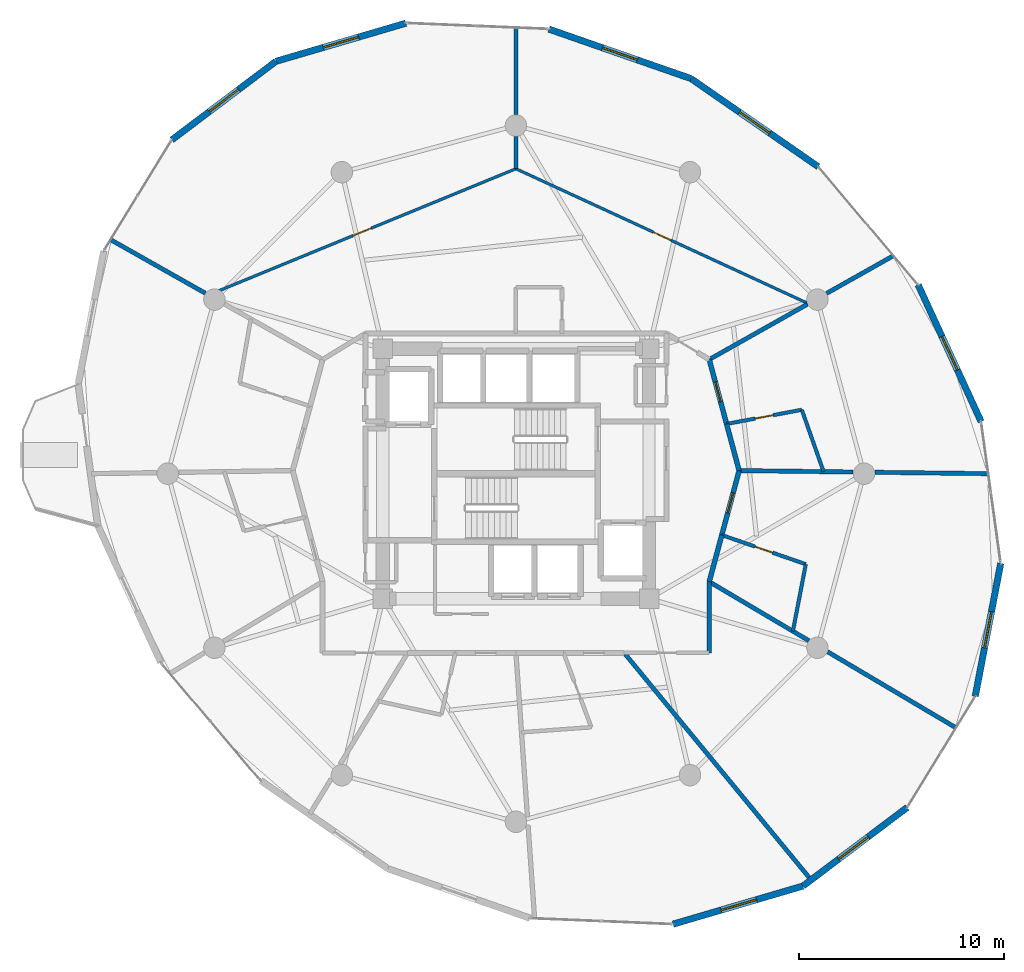
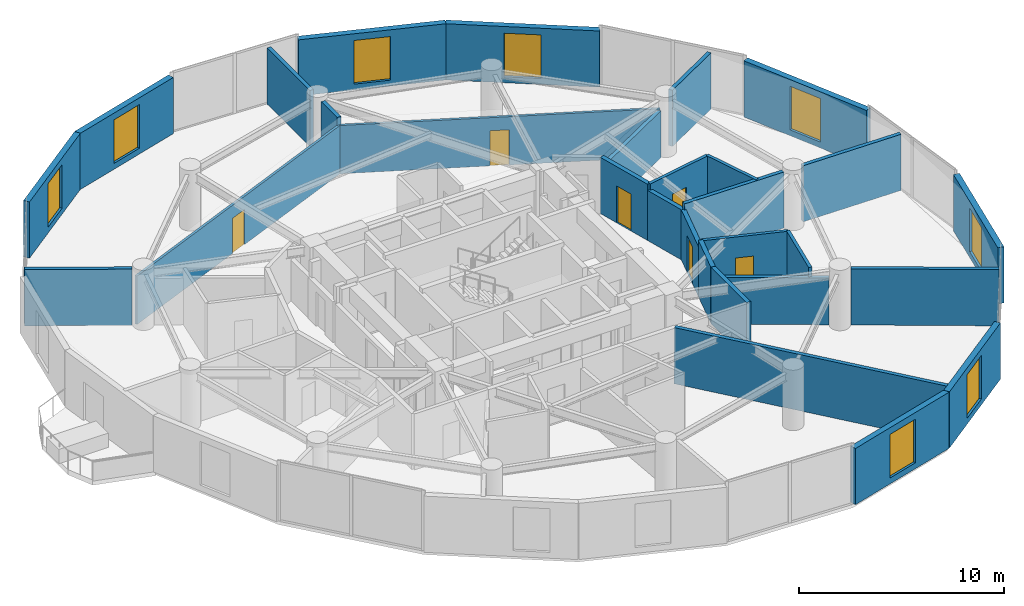
# One storey, part 20 of 23: 29 walls, 8 windows, 6 doors, 14 openings.
"""IFC4 building model written with IfcOpenShell, lengths in metres."""

from ifc_helpers import new_model, si_unit, direction, frame, frame_2d, origin, place, context, subcontext, project, spatial, rectangle, extrude, material, layer, layer_set, type_object, element, fill, save


model = new_model("IFC4")

# Units and contexts
model_context = context("Model", 3, precision=1e-05, world=origin(), true_north=direction((0.0, 1.0)))
body_context = subcontext(model_context, "Body", "Model", "MODEL_VIEW")
ifc_project = project(units=[si_unit("LENGTHUNIT", "METRE"), si_unit("AREAUNIT", "SQUARE_METRE"), si_unit("VOLUMEUNIT", "CUBIC_METRE"), si_unit("PLANEANGLEUNIT", "RADIAN"), si_unit("MASSUNIT", "GRAM", prefix="KILO")], contexts=[model_context])

# Site, building, storey
site_placement = place(None, origin())
site = spatial("IfcSite", under=ifc_project, at=site_placement, CompositionType="ELEMENT")
building_placement = place(site_placement, origin())
building = spatial("IfcBuilding", under=site, at=building_placement, Name="Solvirekh Grand Hotel", CompositionType="ELEMENT")
storey_placement = place(building_placement, frame((0.0, 0.0, 138.60009765625)))
storey = spatial("IfcBuildingStorey", under=building, at=storey_placement, Name="L35", CompositionType="ELEMENT", Elevation=138.60009765625)

# Wall, opening, window
ifc_material_1 = material(Name="Precast concrete C45/55", Category="concrete")
ifc_layer_1 = layer(ifc_material_1, 0.320068359375)
ifc_layer_set_1 = layer_set([ifc_layer_1], Name="Precast concrete C45/55")
wall_type_1 = type_object("IfcWallType", Name="ExtLobbyWall_RC320", PredefinedType="SOLIDWALL", material=ifc_layer_set_1)
wall_1_placement = place(storey_placement, frame((23.676025390625, -4.3759765625, 0.0), z_axis=(0.0, 0.0, 1.0), x_axis=(-0.188272291084, -0.982116869018, 0.0)))
wall_1 = element("IfcWall", 1, at=wall_1_placement, inside=storey, type_object=wall_type_1, Name="L35 exterior structural wall chord 2", PredefinedType="SOLIDWALL", context=body_context, shape_type="SweptSolid", body=[
    extrude(rectangle(XDim=6.61328125, YDim=0.320068359375, at=frame_2d((3.306640625, 0.0))), origin(), (0.0, 0.0, 1.0), 3.349853515625),
])
opening_1_placement = place(wall_1_placement, frame((2.406982421875, 0.0, 0.35009765625)))
opening_1 = element("IfcOpeningElement", 2, at=opening_1_placement, cuts=wall_1, Name="Opening W02", PredefinedType="OPENING", context=body_context, shape_type="SweptSolid", body=[
    extrude(rectangle(XDim=1.800048828125, YDim=2.60009765625, at=frame_2d((0.89990234375, 1.300048828125))), frame((0.0, 0.169921875, 0.0), z_axis=(0.0, -1.0, 0.0), x_axis=(1.0, 0.0, 0.0)), (0.0, 0.0, 1.0), 0.340087890625),
])
ifc_material_2 = material(Name="Low-E Tinted Bronze Laminated Glass", Category="aluminium")
window_type = type_object("IfcWindowType", Name="Win_LobbyExt_1800X2600", PartitioningType="SINGLE_PANEL", PredefinedType="WINDOW", material=ifc_material_2)
window_1_placement = place(opening_1_placement, origin())
window_1 = element("IfcWindow", 3, at=window_1_placement, inside=storey, type_object=window_type, Name="L35 panoramic bronze-framed window 2", OverallHeight=2.60009765625, OverallWidth=1.800048828125, PartitioningType="SINGLE_PANEL", PredefinedType="WINDOW", context=body_context, shape_type="SweptSolid", body=[
    extrude(rectangle(XDim=1.800048828125, YDim=2.60009765625, at=frame_2d((0.89990234375, 1.300048828125))), frame((0.0, 0.030029296875, 0.0), z_axis=(0.0, -1.0, 0.0), x_axis=(1.0, 0.0, 0.0)), (0.0, 0.0, 1.0), 0.06005859375),
])
fill(opening_1, window_1)

wall_2_placement = place(storey_placement, frame((19.64404296875, 9.220947265625, 0.0), z_axis=(0.0, 0.0, 1.0), x_axis=(0.4181370769, -0.90838394136, 0.0)))
wall_2 = element("IfcWall", 4, at=wall_2_placement, inside=storey, type_object=wall_type_1, Name="L35 exterior structural wall chord 4", PredefinedType="SOLIDWALL", context=body_context, shape_type="SweptSolid", body=[
    extrude(rectangle(XDim=7.346923828125, YDim=0.320068359375, at=frame_2d((3.67333984375, 0.0))), origin(), (0.0, 0.0, 1.0), 3.349853515625),
])
opening_2_placement = place(wall_2_placement, frame((2.77392578125, 0.0, 0.35009765625)))
opening_2 = element("IfcOpeningElement", 5, at=opening_2_placement, cuts=wall_2, Name="Opening W02", PredefinedType="OPENING", context=body_context, shape_type="SweptSolid", body=[
    extrude(rectangle(XDim=1.800048828125, YDim=2.60009765625, at=frame_2d((0.89990234375, 1.300048828125))), frame((0.0, 0.169921875, 0.0), z_axis=(0.0, -1.0, 0.0), x_axis=(1.0, 0.0, 0.0)), (0.0, 0.0, 1.0), 0.340087890625),
])
window_2_placement = place(opening_2_placement, origin())
window_2 = element("IfcWindow", 6, at=window_2_placement, inside=storey, type_object=window_type, Name="L35 panoramic bronze-framed window 4", OverallHeight=2.60009765625, OverallWidth=1.800048828125, PartitioningType="SINGLE_PANEL", PredefinedType="WINDOW", context=body_context, shape_type="SweptSolid", body=[
    extrude(rectangle(XDim=1.800048828125, YDim=2.60009765625, at=frame_2d((0.89990234375, 1.300048828125))), frame((0.0, 0.030029296875, 0.0), z_axis=(0.0, -1.0, 0.0), x_axis=(1.0, 0.0, 0.0)), (0.0, 0.0, 1.0), 0.06005859375),
])
fill(opening_2, window_2)

wall_3_placement = place(storey_placement, frame((8.549072265625, 19.2958984375, 0.0), z_axis=(0.0, 0.0, 1.0), x_axis=(0.822065431331, -0.569393033511, 0.0)))
wall_3 = element("IfcWall", 7, at=wall_3_placement, inside=storey, type_object=wall_type_1, Name="L35 exterior structural wall chord 6", PredefinedType="SOLIDWALL", context=body_context, shape_type="SweptSolid", body=[
    extrude(rectangle(XDim=7.558837890625, YDim=0.320068359375, at=frame_2d((3.779296875, 0.0))), origin(), (0.0, 0.0, 1.0), 3.349853515625),
])
opening_3_placement = place(wall_3_placement, frame((2.87890625, 0.0, 0.35009765625)))
opening_3 = element("IfcOpeningElement", 8, at=opening_3_placement, cuts=wall_3, Name="Opening W02", PredefinedType="OPENING", context=body_context, shape_type="SweptSolid", body=[
    extrude(rectangle(XDim=1.800048828125, YDim=2.60009765625, at=frame_2d((0.89990234375, 1.300048828125))), frame((0.0, 0.169921875, 0.0), z_axis=(0.0, -1.0, 0.0), x_axis=(1.0, 0.0, 0.0)), (0.0, 0.0, 1.0), 0.340087890625),
])
window_3_placement = place(opening_3_placement, origin())
window_3 = element("IfcWindow", 9, at=window_3_placement, inside=storey, type_object=window_type, Name="L35 panoramic bronze-framed window 6", OverallHeight=2.60009765625, OverallWidth=1.800048828125, PartitioningType="SINGLE_PANEL", PredefinedType="WINDOW", context=body_context, shape_type="SweptSolid", body=[
    extrude(rectangle(XDim=1.800048828125, YDim=2.60009765625, at=frame_2d((0.89990234375, 1.300048828125))), frame((0.0, 0.030029296875, 0.0), z_axis=(0.0, -1.0, 0.0), x_axis=(1.0, 0.0, 0.0)), (0.0, 0.0, 1.0), 0.06005859375),
])
fill(opening_3, window_3)

wall_4_placement = place(storey_placement, frame((1.610107421875, 21.7109375, 0.0), z_axis=(0.0, 0.0, 1.0), x_axis=(0.94443401985, -0.328701052859, 0.0)))
wall_4 = element("IfcWall", 10, at=wall_4_placement, inside=storey, type_object=wall_type_1, Name="L35 exterior structural wall chord 7", PredefinedType="SOLIDWALL", context=body_context, shape_type="SweptSolid", body=[
    extrude(rectangle(XDim=7.34716796875, YDim=0.320068359375, at=frame_2d((3.673583984375, 0.0))), origin(), (0.0, 0.0, 1.0), 3.349853515625),
])
opening_4_placement = place(wall_4_placement, frame((2.77392578125, 0.0, 0.35009765625)))
opening_4 = element("IfcOpeningElement", 11, at=opening_4_placement, cuts=wall_4, Name="Opening W02", PredefinedType="OPENING", context=body_context, shape_type="SweptSolid", body=[
    extrude(rectangle(XDim=1.800048828125, YDim=2.60009765625, at=frame_2d((0.89990234375, 1.300048828125))), frame((0.0, 0.169921875, 0.0), z_axis=(0.0, -1.0, 0.0), x_axis=(1.0, 0.0, 0.0)), (0.0, 0.0, 1.0), 0.340087890625),
])
window_4_placement = place(opening_4_placement, origin())
window_4 = element("IfcWindow", 12, at=window_4_placement, inside=storey, type_object=window_type, Name="L35 panoramic bronze-framed window 7", OverallHeight=2.60009765625, OverallWidth=1.800048828125, PartitioningType="SINGLE_PANEL", PredefinedType="WINDOW", context=body_context, shape_type="SweptSolid", body=[
    extrude(rectangle(XDim=1.800048828125, YDim=2.60009765625, at=frame_2d((0.89990234375, 1.300048828125))), frame((0.0, 0.030029296875, 0.0), z_axis=(0.0, -1.0, 0.0), x_axis=(1.0, 0.0, 0.0)), (0.0, 0.0, 1.0), 0.06005859375),
])
fill(opening_4, window_4)

wall_5_placement = place(storey_placement, frame((-11.718017578125, 20.136962890625, 0.0), z_axis=(0.0, 0.0, 1.0), x_axis=(0.959493561685, 0.28173055405, 0.0)))
wall_5 = element("IfcWall", 13, at=wall_5_placement, inside=storey, type_object=wall_type_1, Name="L35 exterior structural wall chord 9", PredefinedType="SOLIDWALL", context=body_context, shape_type="SweptSolid", body=[
    extrude(rectangle(XDim=6.61279296875, YDim=0.320068359375, at=frame_2d((3.306396484375, 0.0))), origin(), (0.0, 0.0, 1.0), 3.349853515625),
])
opening_5_placement = place(wall_5_placement, frame((2.406005859375, 0.0, 0.35009765625)))
opening_5 = element("IfcOpeningElement", 14, at=opening_5_placement, cuts=wall_5, Name="Opening W02", PredefinedType="OPENING", context=body_context, shape_type="SweptSolid", body=[
    extrude(rectangle(XDim=1.800048828125, YDim=2.60009765625, at=frame_2d((0.89990234375, 1.300048828125))), frame((0.0, 0.169921875, 0.0), z_axis=(0.0, -1.0, 0.0), x_axis=(1.0, 0.0, 0.0)), (0.0, 0.0, 1.0), 0.340087890625),
])
window_5_placement = place(opening_5_placement, origin())
window_5 = element("IfcWindow", 15, at=window_5_placement, inside=storey, type_object=window_type, Name="L35 panoramic bronze-framed window 9", OverallHeight=2.60009765625, OverallWidth=1.800048828125, PartitioningType="SINGLE_PANEL", PredefinedType="WINDOW", context=body_context, shape_type="SweptSolid", body=[
    extrude(rectangle(XDim=1.800048828125, YDim=2.60009765625, at=frame_2d((0.89990234375, 1.300048828125))), frame((0.0, 0.030029296875, 0.0), z_axis=(0.0, -1.0, 0.0), x_axis=(1.0, 0.0, 0.0)), (0.0, 0.0, 1.0), 0.06005859375),
])
fill(opening_5, window_5)

wall_6_placement = place(storey_placement, frame((-16.802978515625, 16.302001953125, 0.0), z_axis=(0.0, 0.0, 1.0), x_axis=(0.798396373417, 0.602132237067, 0.0)))
wall_6 = element("IfcWall", 16, at=wall_6_placement, inside=storey, type_object=wall_type_1, Name="L35 exterior structural wall chord 10", PredefinedType="SOLIDWALL", context=body_context, shape_type="SweptSolid", body=[
    extrude(rectangle(XDim=6.368896484375, YDim=0.320068359375, at=frame_2d((3.1845703125, 0.0))), origin(), (0.0, 0.0, 1.0), 3.349853515625),
])
opening_6_placement = place(wall_6_placement, frame((2.284912109375, 0.0, 0.35009765625)))
opening_6 = element("IfcOpeningElement", 17, at=opening_6_placement, cuts=wall_6, Name="Opening W02", PredefinedType="OPENING", context=body_context, shape_type="SweptSolid", body=[
    extrude(rectangle(XDim=1.800048828125, YDim=2.60009765625, at=frame_2d((0.89990234375, 1.300048828125))), frame((0.0, 0.169921875, 0.0), z_axis=(0.0, -1.0, 0.0), x_axis=(1.0, 0.0, 0.0)), (0.0, 0.0, 1.0), 0.340087890625),
])
window_6_placement = place(opening_6_placement, origin())
window_6 = element("IfcWindow", 18, at=window_6_placement, inside=storey, type_object=window_type, Name="L35 panoramic bronze-framed window 10", OverallHeight=2.60009765625, OverallWidth=1.800048828125, PartitioningType="SINGLE_PANEL", PredefinedType="WINDOW", context=body_context, shape_type="SweptSolid", body=[
    extrude(rectangle(XDim=1.800048828125, YDim=2.60009765625, at=frame_2d((0.89990234375, 1.300048828125))), frame((0.0, 0.030029296875, 0.0), z_axis=(0.0, -1.0, 0.0), x_axis=(1.0, 0.0, 0.0)), (0.0, 0.0, 1.0), 0.06005859375),
])
fill(opening_6, window_6)

wall_7_placement = place(storey_placement, frame((14.01806640625, -20.136962890625, 0.0), z_axis=(0.0, 0.0, 1.0), x_axis=(-0.959493561685, -0.28173055405, 0.0)))
wall_7 = element("IfcWall", 19, at=wall_7_placement, inside=storey, type_object=wall_type_1, Name="L35 exterior structural wall chord 19", PredefinedType="SOLIDWALL", context=body_context, shape_type="SweptSolid", body=[
    extrude(rectangle(XDim=6.61279296875, YDim=0.320068359375, at=frame_2d((3.306396484375, 0.0))), origin(), (0.0, 0.0, 1.0), 3.349853515625),
])
opening_7_placement = place(wall_7_placement, frame((2.363037109375, 0.0, 0.35009765625)))
opening_7 = element("IfcOpeningElement", 20, at=opening_7_placement, cuts=wall_7, Name="Opening W02", PredefinedType="OPENING", context=body_context, shape_type="SweptSolid", body=[
    extrude(rectangle(XDim=1.800048828125, YDim=2.60009765625, at=frame_2d((0.89990234375, 1.300048828125))), frame((0.0, 0.169921875, 0.0), z_axis=(0.0, -1.0, 0.0), x_axis=(1.0, 0.0, 0.0)), (0.0, 0.0, 1.0), 0.340087890625),
])
window_7_placement = place(opening_7_placement, origin())
window_7 = element("IfcWindow", 21, at=window_7_placement, inside=storey, type_object=window_type, Name="L35 panoramic bronze-framed window 19", OverallHeight=2.60009765625, OverallWidth=1.800048828125, PartitioningType="SINGLE_PANEL", PredefinedType="WINDOW", context=body_context, shape_type="SweptSolid", body=[
    extrude(rectangle(XDim=1.800048828125, YDim=2.60009765625, at=frame_2d((0.89990234375, 1.300048828125))), frame((0.0, 0.030029296875, 0.0), z_axis=(0.0, -1.0, 0.0), x_axis=(1.0, 0.0, 0.0)), (0.0, 0.0, 1.0), 0.06005859375),
])
fill(opening_7, window_7)

wall_8_placement = place(storey_placement, frame((19.10302734375, -16.302001953125, 0.0), z_axis=(0.0, 0.0, 1.0), x_axis=(-0.798396373417, -0.602132237067, 0.0)))
wall_8 = element("IfcWall", 22, at=wall_8_placement, inside=storey, type_object=wall_type_1, Name="L35 exterior structural wall chord 20", PredefinedType="SOLIDWALL", context=body_context, shape_type="SweptSolid", body=[
    extrude(rectangle(XDim=6.368896484375, YDim=0.320068359375, at=frame_2d((3.1845703125, 0.0))), origin(), (0.0, 0.0, 1.0), 3.349853515625),
])
opening_8_placement = place(wall_8_placement, frame((2.3798828125, 0.0, 0.35009765625)))
opening_8 = element("IfcOpeningElement", 23, at=opening_8_placement, cuts=wall_8, Name="Opening W02", PredefinedType="OPENING", context=body_context, shape_type="SweptSolid", body=[
    extrude(rectangle(XDim=1.800048828125, YDim=2.60009765625, at=frame_2d((0.89990234375, 1.300048828125))), frame((0.0, 0.169921875, 0.0), z_axis=(0.0, -1.0, 0.0), x_axis=(1.0, 0.0, 0.0)), (0.0, 0.0, 1.0), 0.340087890625),
])
window_8_placement = place(opening_8_placement, origin())
window_8 = element("IfcWindow", 24, at=window_8_placement, inside=storey, type_object=window_type, Name="L35 panoramic bronze-framed window 20", OverallHeight=2.60009765625, OverallWidth=1.800048828125, PartitioningType="SINGLE_PANEL", PredefinedType="WINDOW", context=body_context, shape_type="SweptSolid", body=[
    extrude(rectangle(XDim=1.800048828125, YDim=2.60009765625, at=frame_2d((0.89990234375, 1.300048828125))), frame((0.0, 0.030029296875, 0.0), z_axis=(0.0, -1.0, 0.0), x_axis=(1.0, 0.0, 0.0)), (0.0, 0.0, 1.0), 0.06005859375),
])
fill(opening_8, window_8)

# Wall
ifc_material_3 = material(Name="Acoustic Gypsum Partition Assembly")
ifc_layer_2 = layer(ifc_material_3, 0.239990234375)
ifc_layer_set_2 = layer_set([ifc_layer_2], Name="Acoustic Gypsum Partition Assembly")
wall_type_2 = type_object("IfcWallType", Name="Part_Corridor_240", PredefinedType="PARTITIONING", material=ifc_layer_set_2)
wall_9_placement = place(storey_placement, frame((9.43994140625, -5.27490234375, 0.0), z_axis=(0.0, 0.0, 1.0), x_axis=(0.25988439237, 0.965639737481, 0.0)))
element("IfcWall", 25, at=wall_9_placement, inside=storey, type_object=wall_type_2, Name="L35 En-suite Bathroom 3704 corridor backing wall", PredefinedType="PARTITIONING", context=body_context, shape_type="SweptSolid", body=[
    extrude(rectangle(XDim=2.35888671875, YDim=0.239990234375, at=frame_2d((1.179443359375, 0.0))), origin(), (0.0, 0.0, 1.0), 3.349853515625),
])

# Wall, opening, door
wall_10_placement = place(storey_placement, frame((10.052978515625, -2.9970703125, 0.0), z_axis=(0.0, 0.0, 1.0), x_axis=(0.259876755553, 0.965641792759, 0.0)))
wall_10 = element("IfcWall", 26, at=wall_10_placement, inside=storey, type_object=wall_type_2, Name="L35 Deluxe Guestroom 3704 entrance wall", PredefinedType="PARTITIONING", context=body_context, shape_type="SweptSolid", body=[
    extrude(rectangle(XDim=3.259033203125, YDim=0.239990234375, at=frame_2d((1.62939453125, 0.0))), origin(), (0.0, 0.0, 1.0), 2.98486328125),
])
opening_9_placement = place(wall_10_placement, frame((1.12890625, 0.0, 0.0)))
opening_9 = element("IfcOpeningElement", 27, at=opening_9_placement, cuts=wall_10, Name="Opening D07", PredefinedType="OPENING", context=body_context, shape_type="SweptSolid", body=[
    extrude(rectangle(XDim=1.0, YDim=2.199951171875, at=frame_2d((0.5, 1.10009765625))), frame((0.0, 0.1298828125, 0.0), z_axis=(0.0, -1.0, 0.0), x_axis=(1.0, 0.0, 0.0)), (0.0, 0.0, 1.0), 0.260009765625),
])
ifc_material_4 = material(Name="Fire-Rated Steel Door Assembly", Category="steel")
door_type_1 = type_object("IfcDoorType", Name="Door_GuestEntry_1000X2200", OperationType="NOTDEFINED", PredefinedType="DOOR", material=ifc_material_4)
door_1_placement = place(opening_9_placement, origin())
door_1 = element("IfcDoor", 28, at=door_1_placement, inside=storey, type_object=door_type_1, Name="L35 Deluxe Guestroom 3704 entrance door", OperationType="SINGLE_SWING_LEFT", OverallHeight=2.199951171875, OverallWidth=1.0, PredefinedType="DOOR", context=body_context, shape_type="SweptSolid", body=[
    extrude(rectangle(XDim=1.0, YDim=2.199951171875, at=frame_2d((0.5, 1.10009765625))), frame((0.0, 0.02490234375, 0.0), z_axis=(0.0, -1.0, 0.0), x_axis=(1.0, 0.0, 0.0)), (0.0, 0.0, 1.0), 0.050048828125),
])
fill(opening_9, door_1)

# Wall
wall_11_placement = place(storey_placement, frame((10.89990234375, 0.14990234375, 0.0), z_axis=(0.0, 0.0, 1.0), x_axis=(-0.259761917731, 0.965672690976, 0.0)))
element("IfcWall", 29, at=wall_11_placement, inside=storey, type_object=wall_type_2, Name="L35 En-suite Bathroom 3705 corridor backing wall", PredefinedType="PARTITIONING", context=body_context, shape_type="SweptSolid", body=[
    extrude(rectangle(XDim=2.359130859375, YDim=0.239990234375, at=frame_2d((1.1796875, 0.0))), origin(), (0.0, 0.0, 1.0), 2.98486328125),
])

# Wall, opening, door
wall_12_placement = place(storey_placement, frame((10.287109375, 2.427978515625, 0.0), z_axis=(0.0, 0.0, 1.0), x_axis=(-0.259946608151, 0.965622991084, 0.0)))
wall_12 = element("IfcWall", 30, at=wall_12_placement, inside=storey, type_object=wall_type_2, Name="L35 Deluxe Guestroom 3705 entrance wall", PredefinedType="PARTITIONING", context=body_context, shape_type="SweptSolid", body=[
    extrude(rectangle(XDim=3.259033203125, YDim=0.239990234375, at=frame_2d((1.62939453125, 0.0))), origin(), (0.0, 0.0, 1.0), 3.349853515625),
])
opening_10_placement = place(wall_12_placement, frame((1.12890625, 0.0, 0.0)))
opening_10 = element("IfcOpeningElement", 31, at=opening_10_placement, cuts=wall_12, Name="Opening D07", PredefinedType="OPENING", context=body_context, shape_type="SweptSolid", body=[
    extrude(rectangle(XDim=1.0, YDim=2.199951171875, at=frame_2d((0.5, 1.10009765625))), frame((0.0, 0.1298828125, 0.0), z_axis=(0.0, -1.0, 0.0), x_axis=(1.0, 0.0, 0.0)), (0.0, 0.0, 1.0), 0.260009765625),
])
door_2_placement = place(opening_10_placement, origin())
door_2 = element("IfcDoor", 32, at=door_2_placement, inside=storey, type_object=door_type_1, Name="L35 Deluxe Guestroom 3705 entrance door", OperationType="SINGLE_SWING_LEFT", OverallHeight=2.199951171875, OverallWidth=1.0, PredefinedType="DOOR", context=body_context, shape_type="SweptSolid", body=[
    extrude(rectangle(XDim=1.0, YDim=2.199951171875, at=frame_2d((0.5, 1.10009765625))), frame((0.0, 0.02490234375, 0.0), z_axis=(0.0, -1.0, 0.0), x_axis=(1.0, 0.0, 0.0)), (0.0, 0.0, 1.0), 0.050048828125),
])
fill(opening_10, door_2)

# Wall
wall_13_placement = place(storey_placement, frame((9.43994140625, -8.75, 0.0), z_axis=(0.0, 0.0, 1.0), x_axis=(0.0, 1.0, 0.0)))
element("IfcWall", 33, at=wall_13_placement, inside=storey, type_object=wall_type_2, Name="L35 L35 Butler Valet & Linen Steward Room corridor wall 1", PredefinedType="PARTITIONING", context=body_context, shape_type="SweptSolid", body=[
    extrude(rectangle(XDim=3.47509765625, YDim=0.239990234375, at=frame_2d((1.737548828125, 0.0))), origin(), (0.0, 0.0, 1.0), 3.349853515625),
])

# Wall, opening, door
ifc_layer_3 = layer(ifc_material_3, 0.135009765625)
ifc_layer_set_3 = layer_set([ifc_layer_3], Name="Acoustic Gypsum Partition Assembly")
wall_type_3 = type_object("IfcWallType", Name="Part_RoomInt_135", PredefinedType="PARTITIONING", material=ifc_layer_set_3)
wall_14_placement = place(storey_placement, frame((0.0, 14.889892578125, 0.0), z_axis=(0.0, 0.0, 1.0), x_axis=(0.908063857852, -0.418831744335, 0.0)))
wall_14 = element("IfcWall", 34, at=wall_14_placement, inside=storey, type_object=wall_type_3, Name="L35 Panorama Suite 3701 North Sitting Room bedroom screen wall", PredefinedType="PARTITIONING", context=body_context, shape_type="SweptSolid", body=[
    extrude(rectangle(XDim=15.726806640625, YDim=0.135009765625, at=frame_2d((7.86328125, 0.0))), origin(), (0.0, 0.0, 1.0), 2.8779296875),
])
opening_11_placement = place(wall_14_placement, frame((7.387939453125, 0.0, 0.0)))
opening_11 = element("IfcOpeningElement", 35, at=opening_11_placement, cuts=wall_14, Name="Opening D10", PredefinedType="OPENING", context=body_context, shape_type="SweptSolid", body=[
    extrude(rectangle(XDim=0.949951171875, YDim=2.10009765625, at=frame_2d((0.47509765625, 1.050048828125))), frame((0.0, 0.07763671875, 0.0), z_axis=(0.0, -1.0, 0.0), x_axis=(1.0, 0.0, 0.0)), (0.0, 0.0, 1.0), 0.155029296875),
])
ifc_material_5 = material(Name="Anodized Bronze Aluminium 6063-T6", Category="aluminium")
door_type_2 = type_object("IfcDoorType", Name="Door_RoomInt_950X2100", OperationType="NOTDEFINED", PredefinedType="DOOR", material=ifc_material_5)
door_3_placement = place(opening_11_placement, origin())
door_3 = element("IfcDoor", 36, at=door_3_placement, inside=storey, type_object=door_type_2, Name="L35 Panorama Suite 3701 North Sitting Room master bedroom door", OperationType="SINGLE_SWING_RIGHT", OverallHeight=2.10009765625, OverallWidth=0.949951171875, PredefinedType="DOOR", context=body_context, shape_type="SweptSolid", body=[
    extrude(rectangle(XDim=0.949951171875, YDim=2.10009765625, at=frame_2d((0.47509765625, 1.050048828125))), frame((0.0, 0.02490234375, 0.0), z_axis=(0.0, -1.0, 0.0), x_axis=(1.0, 0.0, 0.0)), (0.0, 0.0, 1.0), 0.050048828125),
])
fill(opening_11, door_3)

wall_15_placement = place(storey_placement, frame((-15.010986328125, 8.72412109375, 0.0), z_axis=(0.0, 0.0, 1.0), x_axis=(0.925008016351, 0.379947588078, 0.0)))
wall_15 = element("IfcWall", 37, at=wall_15_placement, inside=storey, type_object=wall_type_3, Name="L35 Panorama Suite 3701 Observatory Library bedroom screen wall", PredefinedType="PARTITIONING", context=body_context, shape_type="SweptSolid", body=[
    extrude(rectangle(XDim=16.22802734375, YDim=0.135009765625, at=frame_2d((8.114013671875, 0.0))), origin(), (0.0, 0.0, 1.0), 2.8779296875),
])
opening_12_placement = place(wall_15_placement, frame((7.638916015625, 0.0, 0.0)))
opening_12 = element("IfcOpeningElement", 38, at=opening_12_placement, cuts=wall_15, Name="Opening D10", PredefinedType="OPENING", context=body_context, shape_type="SweptSolid", body=[
    extrude(rectangle(XDim=0.949951171875, YDim=2.10009765625, at=frame_2d((0.47509765625, 1.050048828125))), frame((0.0, 0.07763671875, 0.0), z_axis=(0.0, -1.0, 0.0), x_axis=(1.0, 0.0, 0.0)), (0.0, 0.0, 1.0), 0.155029296875),
])
door_4_placement = place(opening_12_placement, origin())
door_4 = element("IfcDoor", 39, at=door_4_placement, inside=storey, type_object=door_type_2, Name="L35 Panorama Suite 3701 Observatory Library master bedroom door", OperationType="SINGLE_SWING_LEFT", OverallHeight=2.10009765625, OverallWidth=0.949951171875, PredefinedType="DOOR", context=body_context, shape_type="SweptSolid", body=[
    extrude(rectangle(XDim=0.949951171875, YDim=2.10009765625, at=frame_2d((0.47509765625, 1.050048828125))), frame((0.0, 0.02490234375, 0.0), z_axis=(0.0, -1.0, 0.0), x_axis=(1.0, 0.0, 0.0)), (0.0, 0.0, 1.0), 0.050048828125),
])
fill(opening_12, door_4)

# Walls
ifc_layer_4 = layer(ifc_material_3, 0.2099609375)
ifc_layer_set_4 = layer_set([ifc_layer_4], Name="Acoustic Gypsum Partition Assembly")
wall_type_4 = type_object("IfcWallType", Name="Part_SuiteDemise_210", PredefinedType="PARTITIONING", material=ifc_layer_set_4)
wall_16_placement = place(storey_placement, frame((10.89990234375, 0.14990234375, 0.0), z_axis=(0.0, 0.0, 1.0), x_axis=(0.999923372065, -0.012379418339, 0.0)))
element("IfcWall", 40, at=wall_16_placement, inside=storey, type_object=wall_type_4, Name="L35 suite radial wall 1 (A)", PredefinedType="PARTITIONING", context=body_context, shape_type="SweptSolid", body=[
    extrude(rectangle(XDim=5.5615234375, YDim=0.2099609375, at=frame_2d((2.78076171875, 0.0))), origin(), (0.0, 0.0, 1.0), 3.349853515625),
])
wall_17_placement = place(storey_placement, frame((17.541015625, 0.068115234375, 0.0), z_axis=(0.0, 0.0, 1.0), x_axis=(0.999922985187, -0.012410628269, 0.0)))
element("IfcWall", 41, at=wall_17_placement, inside=storey, type_object=wall_type_4, Name="L35 suite radial wall 1 (B)", PredefinedType="PARTITIONING", context=body_context, shape_type="SweptSolid", body=[
    extrude(rectangle(XDim=5.488525390625, YDim=0.2099609375, at=frame_2d((2.744140625, 0.0))), origin(), (0.0, 0.0, 1.0), 3.349853515625),
])
wall_18_placement = place(storey_placement, frame((9.43994140625, 5.574951171875, 0.0), z_axis=(0.0, 0.0, 1.0), x_axis=(0.871243078021, 0.490851809613, 0.0)))
element("IfcWall", 42, at=wall_18_placement, inside=storey, type_object=wall_type_4, Name="L35 suite radial wall 2 (A)", PredefinedType="PARTITIONING", context=body_context, shape_type="SweptSolid", body=[
    extrude(rectangle(XDim=5.49462890625, YDim=0.2099609375, at=frame_2d((2.747314453125, 0.0))), origin(), (0.0, 0.0, 1.0), 2.791015625),
])
wall_19_placement = place(storey_placement, frame((15.173095703125, 8.805908203125, 0.0), z_axis=(0.0, 0.0, 1.0), x_axis=(0.871269436628, 0.490805021162, 0.0)))
element("IfcWall", 43, at=wall_19_placement, inside=storey, type_object=wall_type_4, Name="L35 suite radial wall 2 (B)", PredefinedType="PARTITIONING", context=body_context, shape_type="SweptSolid", body=[
    extrude(rectangle(XDim=3.708251953125, YDim=0.2099609375, at=frame_2d((1.85400390625, 0.0))), origin(), (0.0, 0.0, 1.0), 3.349853515625),
])
wall_20_placement = place(storey_placement, frame((-15.16796875, 8.81298828125, 0.0), z_axis=(0.0, 0.0, 1.0), x_axis=(-0.870585270254, 0.492017567997, 0.0)))
element("IfcWall", 44, at=wall_20_placement, inside=storey, type_object=wall_type_4, Name="L35 suite radial wall 6 (B)", PredefinedType="PARTITIONING", context=body_context, shape_type="SweptSolid", body=[
    extrude(rectangle(XDim=5.270263671875, YDim=0.2099609375, at=frame_2d((2.63525390625, 0.0))), origin(), (0.0, 0.0, 1.0), 3.349853515625),
])
wall_21_placement = place(storey_placement, frame((9.43994140625, -5.27490234375, 0.0), z_axis=(0.0, 0.0, 1.0), x_axis=(0.860527977628, -0.509403179927, 0.0)))
element("IfcWall", 45, at=wall_21_placement, inside=storey, type_object=wall_type_4, Name="L35 suite radial wall 12 (A)", PredefinedType="PARTITIONING", context=body_context, shape_type="SweptSolid", body=[
    extrude(rectangle(XDim=5.650146484375, YDim=0.2099609375, at=frame_2d((2.8251953125, 0.0))), origin(), (0.0, 0.0, 1.0), 2.791015625),
])
wall_22_placement = place(storey_placement, frame((15.22802734375, -8.700927734375, 0.0), z_axis=(0.0, 0.0, 1.0), x_axis=(0.860538050529, -0.509386163526, 0.0)))
element("IfcWall", 46, at=wall_22_placement, inside=storey, type_object=wall_type_4, Name="L35 suite radial wall 12 (B)", PredefinedType="PARTITIONING", context=body_context, shape_type="SweptSolid", body=[
    extrude(rectangle(XDim=7.236328125, YDim=0.2099609375, at=frame_2d((3.6181640625, 0.0))), origin(), (0.0, 0.0, 1.0), 3.349853515625),
])
wall_23_placement = place(storey_placement, frame((0.0, 14.889892578125, 0.0), z_axis=(0.0, 0.0, 1.0), x_axis=(0.0, 1.0, 0.0)))
element("IfcWall", 47, at=wall_23_placement, inside=storey, type_object=wall_type_4, Name="L35 Panorama Suite 3701 North Sitting Room dividing partition 1 (A)", PredefinedType="PARTITIONING", context=body_context, shape_type="SweptSolid", body=[
    extrude(rectangle(XDim=1.565185546875, YDim=0.2099609375, at=frame_2d((0.78271484375, 0.0))), origin(), (0.0, 0.0, 1.0), 3.349853515625),
])
wall_24_placement = place(storey_placement, frame((0.0, 17.544921875, 0.0), z_axis=(0.0, 0.0, 1.0), x_axis=(0.0, 1.0, 0.0)))
element("IfcWall", 48, at=wall_24_placement, inside=storey, type_object=wall_type_4, Name="L35 Panorama Suite 3701 North Sitting Room dividing partition 1 (B)", PredefinedType="PARTITIONING", context=body_context, shape_type="SweptSolid", body=[
    extrude(rectangle(XDim=4.193115234375, YDim=0.2099609375, at=frame_2d((2.0966796875, 0.0))), origin(), (0.0, 0.0, 1.0), 3.349853515625),
])
wall_25_placement = place(storey_placement, frame((5.285888671875, -8.75, 0.0), z_axis=(0.0, 0.0, 1.0), x_axis=(0.635671401386, -0.771959758964, 0.0)))
element("IfcWall", 49, at=wall_25_placement, inside=storey, type_object=wall_type_4, Name="L35 Deluxe Guestroom 3707 dividing partition 1", PredefinedType="PARTITIONING", context=body_context, shape_type="SweptSolid", body=[
    extrude(rectangle(XDim=14.32177734375, YDim=0.2099609375, at=frame_2d((7.160888671875, 0.0))), origin(), (0.0, 0.0, 1.0), 3.349853515625),
])
ifc_layer_5 = layer(ifc_material_3, 0.175048828125)
ifc_layer_set_5 = layer_set([ifc_layer_5], Name="Acoustic Gypsum Partition Assembly")
wall_type_5 = type_object("IfcWallType", Name="Plumb_Ensuite_175", PredefinedType="PLUMBINGWALL", material=ifc_layer_set_5)
wall_26_placement = place(storey_placement, frame((13.52490234375, -7.693115234375, 0.0), z_axis=(0.0, 0.0, 1.0), x_axis=(0.188812065938, 0.982013240112, 0.0)))
element("IfcWall", 50, at=wall_26_placement, inside=storey, type_object=wall_type_5, Name="L35 En-suite Bathroom 3704 outer plumbing wall", PredefinedType="PLUMBINGWALL", context=body_context, shape_type="SweptSolid", body=[
    extrude(rectangle(XDim=3.33203125, YDim=0.175048828125, at=frame_2d((1.666015625, 0.0))), origin(), (0.0, 0.0, 1.0), 3.349853515625),
])

# Wall, opening, door
wall_27_placement = place(storey_placement, frame((10.052978515625, -2.9970703125, 0.0), z_axis=(0.0, 0.0, 1.0), x_axis=(0.944684797039, -0.327979624737, 0.0)))
wall_27 = element("IfcWall", 51, at=wall_27_placement, inside=storey, type_object=wall_type_5, Name="L35 En-suite Bathroom 3704 entry plumbing wall", PredefinedType="PLUMBINGWALL", context=body_context, shape_type="SweptSolid", body=[
    extrude(rectangle(XDim=4.34130859375, YDim=0.175048828125, at=frame_2d((2.170654296875, 0.0))), origin(), (0.0, 0.0, 1.0), 3.349853515625),
])
opening_13_placement = place(wall_27_placement, frame((1.720947265625, 0.0, 0.0)))
opening_13 = element("IfcOpeningElement", 52, at=opening_13_placement, cuts=wall_27, Name="Opening D09", PredefinedType="OPENING", context=body_context, shape_type="SweptSolid", body=[
    extrude(rectangle(XDim=0.89990234375, YDim=2.10009765625, at=frame_2d((0.449951171875, 1.050048828125))), frame((0.0, 0.09765625, 0.0), z_axis=(0.0, -1.0, 0.0), x_axis=(1.0, 0.0, 0.0)), (0.0, 0.0, 1.0), 0.195068359375),
])
door_type_3 = type_object("IfcDoorType", Name="Door_Ensuite_900X2100", OperationType="NOTDEFINED", PredefinedType="DOOR", material=ifc_material_5)
door_5_placement = place(opening_13_placement, origin())
door_5 = element("IfcDoor", 53, at=door_5_placement, inside=storey, type_object=door_type_3, Name="L35 En-suite Bathroom 3704 door", OperationType="SINGLE_SWING_RIGHT", OverallHeight=2.10009765625, OverallWidth=0.89990234375, PredefinedType="DOOR", context=body_context, shape_type="SweptSolid", body=[
    extrude(rectangle(XDim=0.89990234375, YDim=2.10009765625, at=frame_2d((0.449951171875, 1.050048828125))), frame((0.0, 0.02490234375, 0.0), z_axis=(0.0, -1.0, 0.0), x_axis=(1.0, 0.0, 0.0)), (0.0, 0.0, 1.0), 0.050048828125),
])
fill(opening_13, door_5)

# Wall
wall_28_placement = place(storey_placement, frame((15.02392578125, 0.09912109375, 0.0), z_axis=(0.0, 0.0, 1.0), x_axis=(-0.332461284511, 0.943116903836, 0.0)))
element("IfcWall", 54, at=wall_28_placement, inside=storey, type_object=wall_type_5, Name="L35 En-suite Bathroom 3705 outer plumbing wall", PredefinedType="PLUMBINGWALL", context=body_context, shape_type="SweptSolid", body=[
    extrude(rectangle(XDim=3.203125, YDim=0.175048828125, at=frame_2d((1.6015625, 0.0))), origin(), (0.0, 0.0, 1.0), 3.349853515625),
])

# Wall, opening, door
wall_29_placement = place(storey_placement, frame((10.287109375, 2.427978515625, 0.0), z_axis=(0.0, 0.0, 1.0), x_axis=(0.982694206869, 0.185235244446, 0.0)))
wall_29 = element("IfcWall", 55, at=wall_29_placement, inside=storey, type_object=wall_type_5, Name="L35 En-suite Bathroom 3705 entry plumbing wall", PredefinedType="PLUMBINGWALL", context=body_context, shape_type="SweptSolid", body=[
    extrude(rectangle(XDim=3.736572265625, YDim=0.175048828125, at=frame_2d((1.8681640625, 0.0))), origin(), (0.0, 0.0, 1.0), 3.349853515625),
])
opening_14_placement = place(wall_29_placement, frame((1.41796875, 0.0, 0.0)))
opening_14 = element("IfcOpeningElement", 56, at=opening_14_placement, cuts=wall_29, Name="Opening D09", PredefinedType="OPENING", context=body_context, shape_type="SweptSolid", body=[
    extrude(rectangle(XDim=0.89990234375, YDim=2.10009765625, at=frame_2d((0.449951171875, 1.050048828125))), frame((0.0, 0.09765625, 0.0), z_axis=(0.0, -1.0, 0.0), x_axis=(1.0, 0.0, 0.0)), (0.0, 0.0, 1.0), 0.195068359375),
])
door_6_placement = place(opening_14_placement, origin())
door_6 = element("IfcDoor", 57, at=door_6_placement, inside=storey, type_object=door_type_3, Name="L35 En-suite Bathroom 3705 door", OperationType="SINGLE_SWING_RIGHT", OverallHeight=2.10009765625, OverallWidth=0.89990234375, PredefinedType="DOOR", context=body_context, shape_type="SweptSolid", body=[
    extrude(rectangle(XDim=0.89990234375, YDim=2.10009765625, at=frame_2d((0.449951171875, 1.050048828125))), frame((0.0, 0.02490234375, 0.0), z_axis=(0.0, -1.0, 0.0), x_axis=(1.0, 0.0, 0.0)), (0.0, 0.0, 1.0), 0.050048828125),
])
fill(opening_14, door_6)

save(model, "model.ifc")
